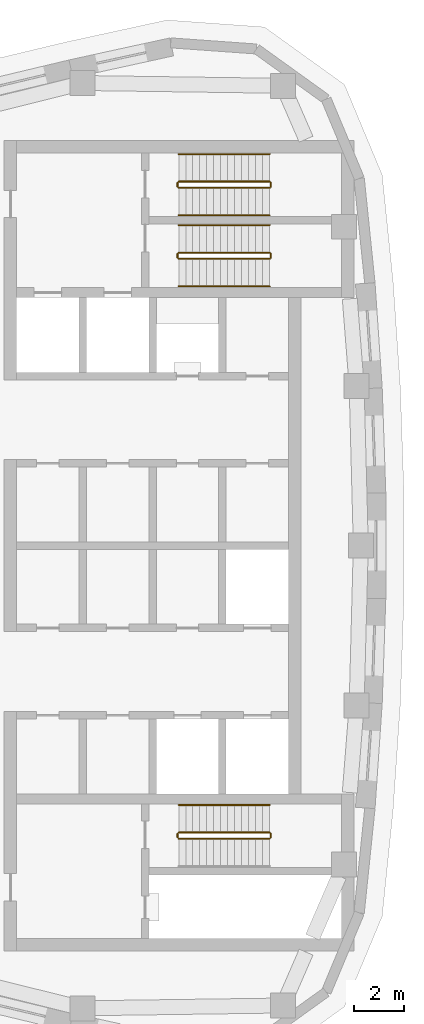
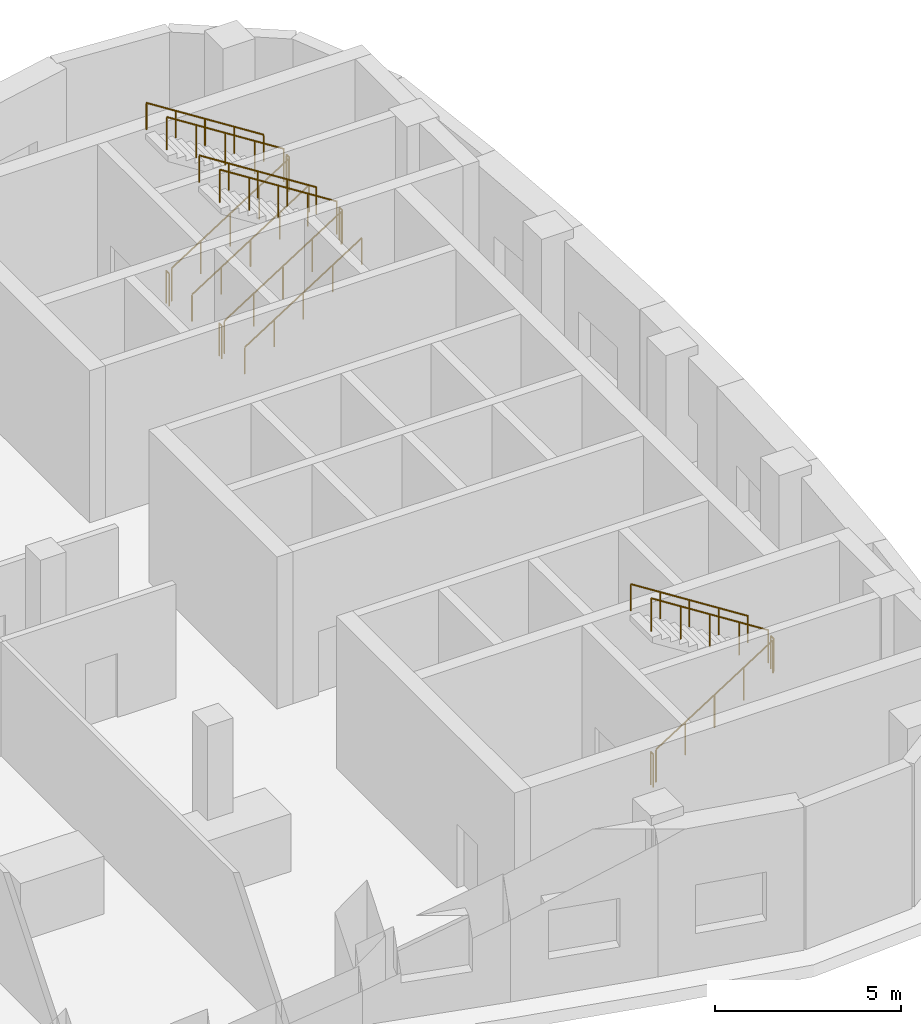
# One storey, part 7 of 8: 17 railings.
"""IFC4 building model written with IfcOpenShell, lengths in metres."""

from ifc_helpers import new_model, si_unit, direction, frame, origin, origin_2d, place, context, subcontext, project, spatial, circle, extrude, material, type_object, element, save


model = new_model("IFC4")

# Units and contexts
model_context = context("Model", 3, precision=1e-05, world=origin(), true_north=direction((0.0, 1.0)))
body_context = subcontext(model_context, "Body", "Model", "MODEL_VIEW")
ifc_project = project(units=[si_unit("LENGTHUNIT", "METRE"), si_unit("AREAUNIT", "SQUARE_METRE"), si_unit("VOLUMEUNIT", "CUBIC_METRE"), si_unit("PLANEANGLEUNIT", "RADIAN"), si_unit("MASSUNIT", "GRAM", prefix="KILO")], contexts=[model_context])

# Site, building, storey
site_placement = place(None, origin())
site = spatial("IfcSite", under=ifc_project, at=site_placement, CompositionType="ELEMENT")
building_placement = place(site_placement, origin())
building = spatial("IfcBuilding", under=site, at=building_placement, Name="Ostrand Prow Hotel Tower", CompositionType="ELEMENT")
storey_placement = place(building_placement, frame((0.0, 0.0, 327.39990234375)))
storey = spatial("IfcBuildingStorey", under=building, at=storey_placement, Name="C5", CompositionType="ELEMENT", Elevation=327.39990234375)

# Railings
ifc_material_1 = material(Name="Painted steel", Category="steel")
railing_type_1 = type_object("IfcRailingType", Name="Stair guard 1100", PredefinedType="GUARDRAIL", material=ifc_material_1)
railing_1_placement = place(storey_placement, frame((57.199951171875, 11.5, 0.1787109375)))
element("IfcRailing", 1, at=railing_1_placement, inside=storey, type_object=railing_type_1, Name="C5 ST1C stair guard 1", PredefinedType="GUARDRAIL", context=body_context, shape_type="SweptSolid", body=[
    extrude(circle(Radius=0.02392578125, at=origin_2d()), frame((0.0, 0.0, 1.076171875), z_axis=(0.843153495434, 0.0, 0.537672933239), x_axis=(0.0, 1.0, 0.0)), (0.0, 0.0, 1.0), 4.3173828125),
    extrude(circle(Radius=0.02099609375, at=origin_2d()), origin(), (0.0, 0.0, 1.0), 1.052001953125),
    extrude(circle(Radius=0.02099609375, at=origin_2d()), frame((0.91015625, 0.0, 0.580322265625)), (0.0, 0.0, 1.0), 1.052001953125),
    extrude(circle(Radius=0.02099609375, at=origin_2d()), frame((1.820068359375, 0.0, 1.16064453125)), (0.0, 0.0, 1.0), 1.052001953125),
    extrude(circle(Radius=0.02099609375, at=origin_2d()), frame((2.72998046875, 0.0, 1.740966796875)), (0.0, 0.0, 1.0), 1.052001953125),
    extrude(circle(Radius=0.02099609375, at=origin_2d()), frame((3.64013671875, 0.0, 2.3212890625)), (0.0, 0.0, 1.0), 1.052001953125),
])
railing_2_placement = place(storey_placement, frame((60.889892578125, 11.550048828125, 2.5)))
element("IfcRailing", 2, at=railing_2_placement, inside=storey, type_object=railing_type_1, Name="C5 ST1C stair guard 2", PredefinedType="GUARDRAIL", context=body_context, shape_type="SweptSolid", body=[
    extrude(circle(Radius=0.02392578125, at=origin_2d()), frame((0.0, 0.0, 1.076171875), z_axis=(0.0, 1.0, 0.0), x_axis=(-1.0, 0.0, 0.0)), (0.0, 0.0, 1.0), 0.14990234375),
    extrude(circle(Radius=0.02099609375, at=origin_2d()), origin(), (0.0, 0.0, 1.0), 1.052001953125),
    extrude(circle(Radius=0.02099609375, at=origin_2d()), frame((0.0, 0.14990234375, 0.0)), (0.0, 0.0, 1.0), 1.052001953125),
])
railing_3_placement = place(storey_placement, frame((60.840087890625, 11.75, 2.6787109375)))
element("IfcRailing", 3, at=railing_3_placement, inside=storey, type_object=railing_type_1, Name="C5 ST1C stair guard 3", PredefinedType="GUARDRAIL", context=body_context, shape_type="SweptSolid", body=[
    extrude(circle(Radius=0.02392578125, at=origin_2d()), frame((0.0, 0.0, 1.076171875), z_axis=(-0.843153495434, 0.0, 0.537672933239), x_axis=(0.0, -1.0, 0.0)), (0.0, 0.0, 1.0), 4.3173828125),
    extrude(circle(Radius=0.02099609375, at=origin_2d()), origin(), (0.0, 0.0, 1.0), 1.052001953125),
    extrude(circle(Radius=0.02099609375, at=origin_2d()), frame((-0.91015625, 0.0, 0.580322265625)), (0.0, 0.0, 1.0), 1.052001953125),
    extrude(circle(Radius=0.02099609375, at=origin_2d()), frame((-1.820068359375, 0.0, 1.16064453125)), (0.0, 0.0, 1.0), 1.052001953125),
    extrude(circle(Radius=0.02099609375, at=origin_2d()), frame((-2.72998046875, 0.0, 1.740966796875)), (0.0, 0.0, 1.0), 1.052001953125),
    extrude(circle(Radius=0.02099609375, at=origin_2d()), frame((-3.64013671875, 0.0, 2.3212890625)), (0.0, 0.0, 1.0), 1.052001953125),
])
railing_4_placement = place(storey_placement, frame((57.14990234375, 11.550048828125, 0.0)))
element("IfcRailing", 4, at=railing_4_placement, inside=storey, type_object=railing_type_1, Name="C5 ST1C stair guard 4", PredefinedType="GUARDRAIL", context=body_context, shape_type="SweptSolid", body=[
    extrude(circle(Radius=0.02392578125, at=origin_2d()), frame((0.0, 0.0, 1.076171875), z_axis=(0.0, 1.0, 0.0), x_axis=(-1.0, 0.0, 0.0)), (0.0, 0.0, 1.0), 0.14990234375),
    extrude(circle(Radius=0.02099609375, at=origin_2d()), origin(), (0.0, 0.0, 1.0), 1.052001953125),
    extrude(circle(Radius=0.02099609375, at=origin_2d()), frame((0.0, 0.14990234375, 0.0)), (0.0, 0.0, 1.0), 1.052001953125),
])
railing_5_placement = place(storey_placement, frame((57.199951171875, 14.35009765625, 0.1787109375)))
element("IfcRailing", 5, at=railing_5_placement, inside=storey, type_object=railing_type_1, Name="C5 ST3C stair guard 1", PredefinedType="GUARDRAIL", context=body_context, shape_type="SweptSolid", body=[
    extrude(circle(Radius=0.02392578125, at=origin_2d()), frame((0.0, 0.0, 1.076171875), z_axis=(0.843153495434, 0.0, 0.537672933239), x_axis=(0.0, 1.0, 0.0)), (0.0, 0.0, 1.0), 4.3173828125),
    extrude(circle(Radius=0.02099609375, at=origin_2d()), origin(), (0.0, 0.0, 1.0), 1.052001953125),
    extrude(circle(Radius=0.02099609375, at=origin_2d()), frame((0.91015625, 0.0, 0.580322265625)), (0.0, 0.0, 1.0), 1.052001953125),
    extrude(circle(Radius=0.02099609375, at=origin_2d()), frame((1.820068359375, 0.0, 1.16064453125)), (0.0, 0.0, 1.0), 1.052001953125),
    extrude(circle(Radius=0.02099609375, at=origin_2d()), frame((2.72998046875, 0.0, 1.740966796875)), (0.0, 0.0, 1.0), 1.052001953125),
    extrude(circle(Radius=0.02099609375, at=origin_2d()), frame((3.64013671875, 0.0, 2.3212890625)), (0.0, 0.0, 1.0), 1.052001953125),
])
railing_6_placement = place(storey_placement, frame((60.889892578125, 14.39990234375, 2.5)))
element("IfcRailing", 6, at=railing_6_placement, inside=storey, type_object=railing_type_1, Name="C5 ST3C stair guard 2", PredefinedType="GUARDRAIL", context=body_context, shape_type="SweptSolid", body=[
    extrude(circle(Radius=0.02392578125, at=origin_2d()), frame((0.0, 0.0, 1.076171875), z_axis=(0.0, 1.0, 0.0), x_axis=(-1.0, 0.0, 0.0)), (0.0, 0.0, 1.0), 0.150146484375),
    extrude(circle(Radius=0.02099609375, at=origin_2d()), origin(), (0.0, 0.0, 1.0), 1.052001953125),
    extrude(circle(Radius=0.02099609375, at=origin_2d()), frame((0.0, 0.150146484375, 0.0)), (0.0, 0.0, 1.0), 1.052001953125),
])
railing_7_placement = place(storey_placement, frame((60.840087890625, 14.60009765625, 2.6787109375)))
element("IfcRailing", 7, at=railing_7_placement, inside=storey, type_object=railing_type_1, Name="C5 ST3C stair guard 3", PredefinedType="GUARDRAIL", context=body_context, shape_type="SweptSolid", body=[
    extrude(circle(Radius=0.02392578125, at=origin_2d()), frame((0.0, 0.0, 1.076171875), z_axis=(-0.843153495434, 0.0, 0.537672933239), x_axis=(0.0, -1.0, 0.0)), (0.0, 0.0, 1.0), 4.3173828125),
    extrude(circle(Radius=0.02099609375, at=origin_2d()), origin(), (0.0, 0.0, 1.0), 1.052001953125),
    extrude(circle(Radius=0.02099609375, at=origin_2d()), frame((-0.91015625, 0.0, 0.580322265625)), (0.0, 0.0, 1.0), 1.052001953125),
    extrude(circle(Radius=0.02099609375, at=origin_2d()), frame((-1.820068359375, 0.0, 1.16064453125)), (0.0, 0.0, 1.0), 1.052001953125),
    extrude(circle(Radius=0.02099609375, at=origin_2d()), frame((-2.72998046875, 0.0, 1.740966796875)), (0.0, 0.0, 1.0), 1.052001953125),
    extrude(circle(Radius=0.02099609375, at=origin_2d()), frame((-3.64013671875, 0.0, 2.3212890625)), (0.0, 0.0, 1.0), 1.052001953125),
])
railing_8_placement = place(storey_placement, frame((57.14990234375, 14.39990234375, 0.0)))
element("IfcRailing", 8, at=railing_8_placement, inside=storey, type_object=railing_type_1, Name="C5 ST3C stair guard 4", PredefinedType="GUARDRAIL", context=body_context, shape_type="SweptSolid", body=[
    extrude(circle(Radius=0.02392578125, at=origin_2d()), frame((0.0, 0.0, 1.076171875), z_axis=(0.0, 1.0, 0.0), x_axis=(-1.0, 0.0, 0.0)), (0.0, 0.0, 1.0), 0.150146484375),
    extrude(circle(Radius=0.02099609375, at=origin_2d()), origin(), (0.0, 0.0, 1.0), 1.052001953125),
    extrude(circle(Radius=0.02099609375, at=origin_2d()), frame((0.0, 0.150146484375, 0.0)), (0.0, 0.0, 1.0), 1.052001953125),
])
railing_9_placement = place(storey_placement, frame((57.199951171875, -11.75, 0.1787109375)))
element("IfcRailing", 9, at=railing_9_placement, inside=storey, type_object=railing_type_1, Name="C5 ST2C stair guard 1", PredefinedType="GUARDRAIL", context=body_context, shape_type="SweptSolid", body=[
    extrude(circle(Radius=0.02392578125, at=origin_2d()), frame((0.0, 0.0, 1.076171875), z_axis=(0.843153495434, 0.0, 0.537672933239), x_axis=(0.0, 1.0, 0.0)), (0.0, 0.0, 1.0), 4.3173828125),
    extrude(circle(Radius=0.02099609375, at=origin_2d()), origin(), (0.0, 0.0, 1.0), 1.052001953125),
    extrude(circle(Radius=0.02099609375, at=origin_2d()), frame((0.91015625, 0.0, 0.580322265625)), (0.0, 0.0, 1.0), 1.052001953125),
    extrude(circle(Radius=0.02099609375, at=origin_2d()), frame((1.820068359375, 0.0, 1.16064453125)), (0.0, 0.0, 1.0), 1.052001953125),
    extrude(circle(Radius=0.02099609375, at=origin_2d()), frame((2.72998046875, 0.0, 1.740966796875)), (0.0, 0.0, 1.0), 1.052001953125),
    extrude(circle(Radius=0.02099609375, at=origin_2d()), frame((3.64013671875, 0.0, 2.3212890625)), (0.0, 0.0, 1.0), 1.052001953125),
])
railing_10_placement = place(storey_placement, frame((60.889892578125, -11.699951171875, 2.5)))
element("IfcRailing", 10, at=railing_10_placement, inside=storey, type_object=railing_type_1, Name="C5 ST2C stair guard 2", PredefinedType="GUARDRAIL", context=body_context, shape_type="SweptSolid", body=[
    extrude(circle(Radius=0.02392578125, at=origin_2d()), frame((0.0, 0.0, 1.076171875), z_axis=(0.0, 1.0, 0.0), x_axis=(-1.0, 0.0, 0.0)), (0.0, 0.0, 1.0), 0.14990234375),
    extrude(circle(Radius=0.02099609375, at=origin_2d()), origin(), (0.0, 0.0, 1.0), 1.052001953125),
    extrude(circle(Radius=0.02099609375, at=origin_2d()), frame((0.0, 0.14990234375, 0.0)), (0.0, 0.0, 1.0), 1.052001953125),
])
railing_11_placement = place(storey_placement, frame((60.840087890625, -11.5, 2.6787109375)))
element("IfcRailing", 11, at=railing_11_placement, inside=storey, type_object=railing_type_1, Name="C5 ST2C stair guard 3", PredefinedType="GUARDRAIL", context=body_context, shape_type="SweptSolid", body=[
    extrude(circle(Radius=0.02392578125, at=origin_2d()), frame((0.0, 0.0, 1.076171875), z_axis=(-0.843153495434, 0.0, 0.537672933239), x_axis=(0.0, -1.0, 0.0)), (0.0, 0.0, 1.0), 4.3173828125),
    extrude(circle(Radius=0.02099609375, at=origin_2d()), origin(), (0.0, 0.0, 1.0), 1.052001953125),
    extrude(circle(Radius=0.02099609375, at=origin_2d()), frame((-0.91015625, 0.0, 0.580322265625)), (0.0, 0.0, 1.0), 1.052001953125),
    extrude(circle(Radius=0.02099609375, at=origin_2d()), frame((-1.820068359375, 0.0, 1.16064453125)), (0.0, 0.0, 1.0), 1.052001953125),
    extrude(circle(Radius=0.02099609375, at=origin_2d()), frame((-2.72998046875, 0.0, 1.740966796875)), (0.0, 0.0, 1.0), 1.052001953125),
    extrude(circle(Radius=0.02099609375, at=origin_2d()), frame((-3.64013671875, 0.0, 2.3212890625)), (0.0, 0.0, 1.0), 1.052001953125),
])
railing_12_placement = place(storey_placement, frame((57.14990234375, -11.699951171875, 0.0)))
element("IfcRailing", 12, at=railing_12_placement, inside=storey, type_object=railing_type_1, Name="C5 ST2C stair guard 4", PredefinedType="GUARDRAIL", context=body_context, shape_type="SweptSolid", body=[
    extrude(circle(Radius=0.02392578125, at=origin_2d()), frame((0.0, 0.0, 1.076171875), z_axis=(0.0, 1.0, 0.0), x_axis=(-1.0, 0.0, 0.0)), (0.0, 0.0, 1.0), 0.14990234375),
    extrude(circle(Radius=0.02099609375, at=origin_2d()), origin(), (0.0, 0.0, 1.0), 1.052001953125),
    extrude(circle(Radius=0.02099609375, at=origin_2d()), frame((0.0, 0.14990234375, 0.0)), (0.0, 0.0, 1.0), 1.052001953125),
])
ifc_material_2 = material(Name="Stainless steel", Category="steel")
railing_type_2 = type_object("IfcRailingType", Name="Stair handrail 900", PredefinedType="HANDRAIL", material=ifc_material_2)
railing_13_placement = place(storey_placement, frame((57.199951171875, 10.39990234375, 0.1787109375)))
element("IfcRailing", 13, at=railing_13_placement, inside=storey, type_object=railing_type_2, Name="C5 ST1C stair handrail 1", PredefinedType="HANDRAIL", context=body_context, shape_type="SweptSolid", body=[
    extrude(circle(Radius=0.02392578125, at=origin_2d()), frame((0.0, 0.0, 0.8759765625), z_axis=(0.843153495434, 0.0, 0.537672933239), x_axis=(0.0, 1.0, 0.0)), (0.0, 0.0, 1.0), 4.3173828125),
    extrude(circle(Radius=0.02099609375, at=origin_2d()), origin(), (0.0, 0.0, 1.0), 0.851806640625),
    extrude(circle(Radius=0.02099609375, at=origin_2d()), frame((0.91015625, 0.0, 0.580322265625)), (0.0, 0.0, 1.0), 0.851806640625),
    extrude(circle(Radius=0.02099609375, at=origin_2d()), frame((1.820068359375, 0.0, 1.16064453125)), (0.0, 0.0, 1.0), 0.851806640625),
    extrude(circle(Radius=0.02099609375, at=origin_2d()), frame((2.72998046875, 0.0, 1.740966796875)), (0.0, 0.0, 1.0), 0.851806640625),
    extrude(circle(Radius=0.02099609375, at=origin_2d()), frame((3.64013671875, 0.0, 2.3212890625)), (0.0, 0.0, 1.0), 0.851806640625),
])
railing_14_placement = place(storey_placement, frame((60.840087890625, 12.85009765625, 2.6787109375)))
element("IfcRailing", 14, at=railing_14_placement, inside=storey, type_object=railing_type_2, Name="C5 ST1C stair handrail 2", PredefinedType="HANDRAIL", context=body_context, shape_type="SweptSolid", body=[
    extrude(circle(Radius=0.02392578125, at=origin_2d()), frame((0.0, 0.0, 0.8759765625), z_axis=(-0.843153495434, 0.0, 0.537672933239), x_axis=(0.0, -1.0, 0.0)), (0.0, 0.0, 1.0), 4.3173828125),
    extrude(circle(Radius=0.02099609375, at=origin_2d()), origin(), (0.0, 0.0, 1.0), 0.851806640625),
    extrude(circle(Radius=0.02099609375, at=origin_2d()), frame((-0.91015625, 0.0, 0.580322265625)), (0.0, 0.0, 1.0), 0.851806640625),
    extrude(circle(Radius=0.02099609375, at=origin_2d()), frame((-1.820068359375, 0.0, 1.16064453125)), (0.0, 0.0, 1.0), 0.851806640625),
    extrude(circle(Radius=0.02099609375, at=origin_2d()), frame((-2.72998046875, 0.0, 1.740966796875)), (0.0, 0.0, 1.0), 0.851806640625),
    extrude(circle(Radius=0.02099609375, at=origin_2d()), frame((-3.64013671875, 0.0, 2.3212890625)), (0.0, 0.0, 1.0), 0.851806640625),
])
railing_15_placement = place(storey_placement, frame((57.199951171875, 13.25, 0.1787109375)))
element("IfcRailing", 15, at=railing_15_placement, inside=storey, type_object=railing_type_2, Name="C5 ST3C stair handrail 1", PredefinedType="HANDRAIL", context=body_context, shape_type="SweptSolid", body=[
    extrude(circle(Radius=0.02392578125, at=origin_2d()), frame((0.0, 0.0, 0.8759765625), z_axis=(0.843153495434, 0.0, 0.537672933239), x_axis=(0.0, 1.0, 0.0)), (0.0, 0.0, 1.0), 4.3173828125),
    extrude(circle(Radius=0.02099609375, at=origin_2d()), origin(), (0.0, 0.0, 1.0), 0.851806640625),
    extrude(circle(Radius=0.02099609375, at=origin_2d()), frame((0.91015625, 0.0, 0.580322265625)), (0.0, 0.0, 1.0), 0.851806640625),
    extrude(circle(Radius=0.02099609375, at=origin_2d()), frame((1.820068359375, 0.0, 1.16064453125)), (0.0, 0.0, 1.0), 0.851806640625),
    extrude(circle(Radius=0.02099609375, at=origin_2d()), frame((2.72998046875, 0.0, 1.740966796875)), (0.0, 0.0, 1.0), 0.851806640625),
    extrude(circle(Radius=0.02099609375, at=origin_2d()), frame((3.64013671875, 0.0, 2.3212890625)), (0.0, 0.0, 1.0), 0.851806640625),
])
for number, where, name in (
    (16, (60.840087890625, 15.699951171875, 2.6787109375), "C5 ST3C stair handrail 2"),
    (17, (60.840087890625, -10.39990234375, 2.6787109375), "C5 ST2C stair handrail 2"),
):
    element("IfcRailing", number, at=place(storey_placement, frame(where)), inside=storey, type_object=railing_type_2, Name=name, PredefinedType="HANDRAIL", context=body_context, shape_type="SweptSolid", body=[
        extrude(circle(Radius=0.02392578125, at=origin_2d()), frame((0.0, 0.0, 0.8759765625), z_axis=(-0.843153495434, 0.0, 0.537672933239), x_axis=(0.0, -1.0, 0.0)), (0.0, 0.0, 1.0), 4.3173828125),
        extrude(circle(Radius=0.02099609375, at=origin_2d()), origin(), (0.0, 0.0, 1.0), 0.851806640625),
        extrude(circle(Radius=0.02099609375, at=origin_2d()), frame((-0.91015625, 0.0, 0.580322265625)), (0.0, 0.0, 1.0), 0.851806640625),
        extrude(circle(Radius=0.02099609375, at=origin_2d()), frame((-1.820068359375, 0.0, 1.16064453125)), (0.0, 0.0, 1.0), 0.851806640625),
        extrude(circle(Radius=0.02099609375, at=origin_2d()), frame((-2.72998046875, 0.0, 1.740966796875)), (0.0, 0.0, 1.0), 0.851806640625),
        extrude(circle(Radius=0.02099609375, at=origin_2d()), frame((-3.64013671875, 0.0, 2.3212890625)), (0.0, 0.0, 1.0), 0.851806640625),
    ])

save(model, "model.ifc")
